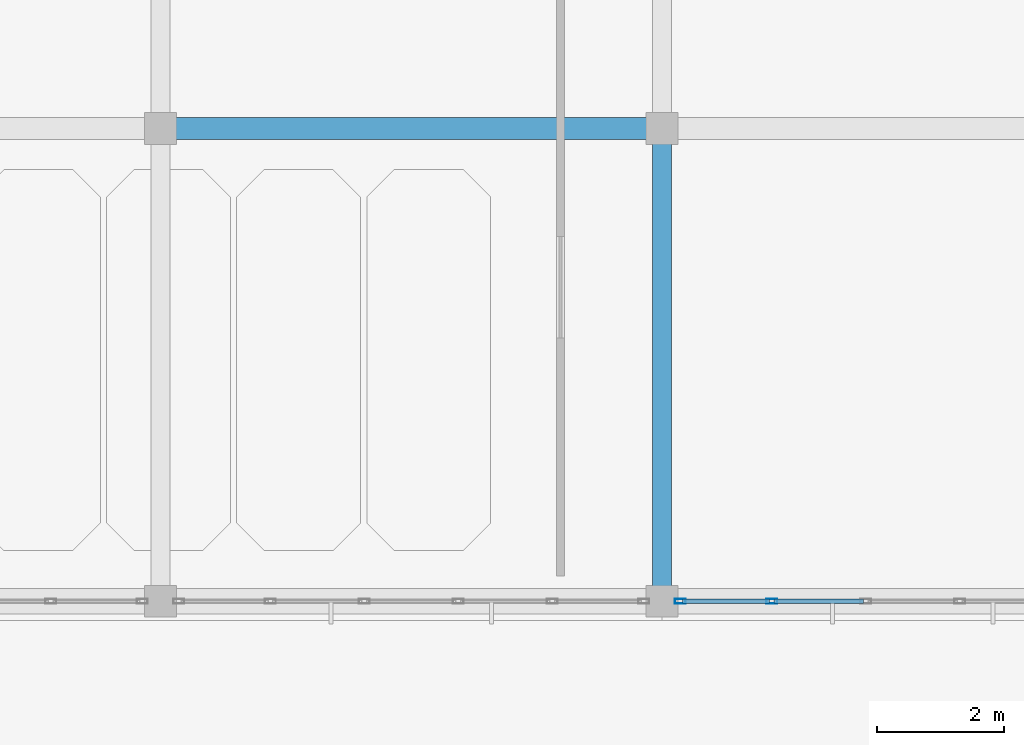
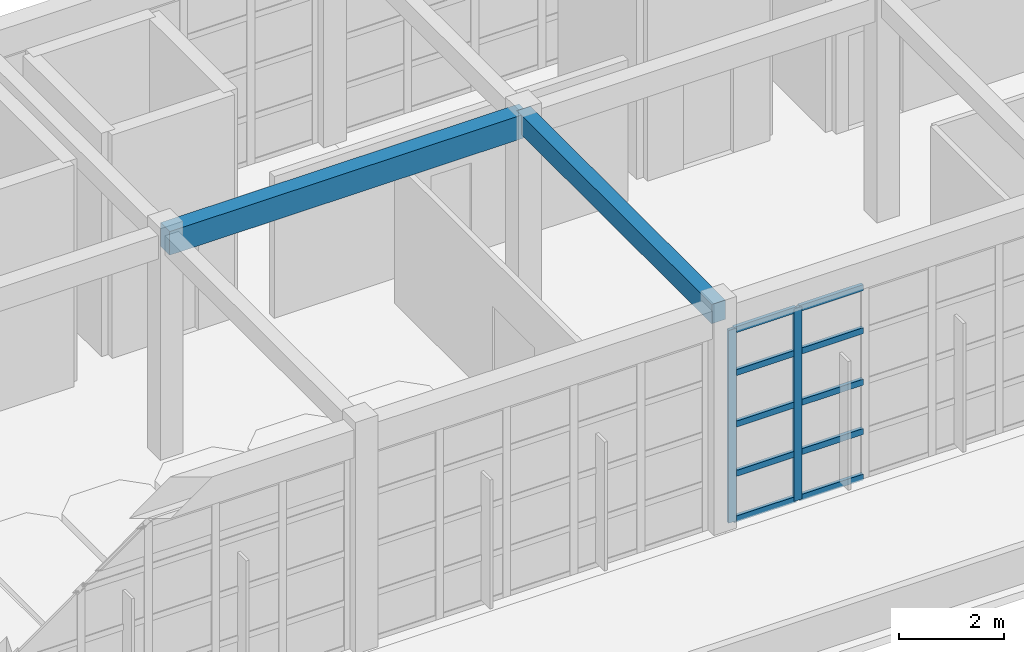
# One storey, part 6 of 103: 12 members, 2 beams, 1 element without a shape of its own.
"""IFC4 building model written with IfcOpenShell, lengths in metres."""

from ifc_helpers import new_model, si_unit, direction, frame, origin, origin_2d, place, context, subcontext, project, spatial, rectangle, hollow_rectangle, extrude, material, layer, layer_set, material_profile, profile_set, type_object, element, aggregate, save


model = new_model("IFC4")

# Units and contexts
model_context = context("Model", 3, precision=1e-05, world=origin(), true_north=direction((0.0, 1.0)))
body_context = subcontext(model_context, "Body", "Model", "MODEL_VIEW")
ifc_project = project(units=[si_unit("LENGTHUNIT", "METRE"), si_unit("AREAUNIT", "SQUARE_METRE"), si_unit("VOLUMEUNIT", "CUBIC_METRE"), si_unit("PLANEANGLEUNIT", "RADIAN"), si_unit("MASSUNIT", "GRAM", prefix="KILO")], contexts=[model_context])

# Site, building, storey
site_placement = place(None, origin())
site = spatial("IfcSite", under=ifc_project, at=site_placement, CompositionType="ELEMENT")
building_placement = place(site_placement, origin())
building = spatial("IfcBuilding", under=site, at=building_placement, Name="Candilejo Ridge Gondola Terminal", CompositionType="ELEMENT")
storey_placement = place(building_placement, frame((0.0, 0.0, 9.0)))
storey = spatial("IfcBuildingStorey", under=building, at=storey_placement, Name="L02", CompositionType="ELEMENT", Elevation=9.0)

# Curtain wall, members
ifc_material_1 = material(Name="Anodised aluminium AA 6063-T6", Category="aluminium")
ifc_layer = layer(ifc_material_1, 0.169921875)
ifc_layer_set = layer_set([ifc_layer], Name="ARC-CW-GALLERY-3200-740X449")
curtain_wall_type = type_object("IfcCurtainWallType", Name="ARC-CW-GALLERY-3200-740X449", PredefinedType="NOTDEFINED", material=ifc_layer_set)
curtain_wall_placement = place(storey_placement, origin())
curtain_wall = element("IfcCurtainWall", 1, at=curtain_wall_placement, inside=storey, type_object=curtain_wall_type, Name="Curtain wall V1 L02-011", PredefinedType="NOTDEFINED")
ifc_material_2 = material(Name="Anodised aluminium AA 6063-T6", Category="aluminium")
ifc_material_profile_1 = material_profile(ifc_material_2, hollow_rectangle(XDim=0.074951171875, YDim=0.169921875, WallThickness=0.00390625, at=origin_2d()))
ifc_profile_set_1 = profile_set([ifc_material_profile_1], Name="Anodised aluminium AA 6063-T6")
member_type_1 = type_object("IfcMemberType", Name="ARC-CW-MULLION", PredefinedType="MULLION", material=ifc_profile_set_1)
member_1_placement = place(storey_placement, frame((20.387451171875, 10.800048828125, 0.0), z_axis=(0.0, 0.0, 1.0), x_axis=(0.0, 1.0, 0.0)))
member_1 = element("IfcMember", 2, at=member_1_placement, type_object=member_type_1, Name="CW-74X44 mullion 1", PredefinedType="MULLION", context=body_context, shape_type="SweptSolid", body=[
    extrude(hollow_rectangle(XDim=0.074951171875, YDim=0.169921875, WallThickness=0.00390625, at=origin_2d()), origin(), (0.0, 0.0, 1.0), 4.489990234375),
])
member_2_placement = place(storey_placement, frame((21.830078125, 10.800048828125, 0.0), z_axis=(0.0, 0.0, 1.0), x_axis=(0.0, 1.0, 0.0)))
member_2 = element("IfcMember", 3, at=member_2_placement, type_object=member_type_1, Name="CW-74X44 mullion 2", PredefinedType="MULLION", context=body_context, shape_type="SweptSolid", body=[
    extrude(hollow_rectangle(XDim=0.074951171875, YDim=0.169921875, WallThickness=0.00390625, at=origin_2d()), origin(), (0.0, 0.0, 1.0), 4.489990234375),
])
ifc_material_3 = material(Name="Anodised aluminium AA 6063-T6", Category="aluminium")
ifc_material_profile_2 = material_profile(ifc_material_3, hollow_rectangle(XDim=0.074951171875, YDim=0.139892578125, WallThickness=0.00390625, at=origin_2d()))
ifc_profile_set_2 = profile_set([ifc_material_profile_2], Name="Anodised aluminium AA 6063-T6")
member_type_2 = type_object("IfcMemberType", Name="ARC-CW-TRANSOM", PredefinedType="USERDEFINED", material=ifc_profile_set_2)
member_3_placement = place(storey_placement, frame((20.425048828125, 10.800048828125, 0.03759765625), z_axis=(1.0, 0.0, 0.0), x_axis=(0.0, 1.0, 0.0)))
member_3 = element("IfcMember", 4, at=member_3_placement, type_object=member_type_2, Name="CW-74X44 transom 1.1", ObjectType="TRANSOM", PredefinedType="USERDEFINED", context=body_context, shape_type="SweptSolid", body=[
    extrude(hollow_rectangle(XDim=0.074951171875, YDim=0.139892578125, WallThickness=0.00390625, at=origin_2d()), origin(), (0.0, 0.0, 1.0), 1.367431640625),
])
member_4_placement = place(storey_placement, frame((20.425048828125, 10.800048828125, 1.10009765625), z_axis=(1.0, 0.0, 0.0), x_axis=(0.0, 1.0, 0.0)))
member_4 = element("IfcMember", 5, at=member_4_placement, type_object=member_type_2, Name="CW-74X44 transom 1.2", ObjectType="TRANSOM", PredefinedType="USERDEFINED", context=body_context, shape_type="SweptSolid", body=[
    extrude(hollow_rectangle(XDim=0.074951171875, YDim=0.139892578125, WallThickness=0.00390625, at=origin_2d()), origin(), (0.0, 0.0, 1.0), 1.367431640625),
])
member_5_placement = place(storey_placement, frame((20.425048828125, 10.800048828125, 2.25), z_axis=(1.0, 0.0, 0.0), x_axis=(0.0, 1.0, 0.0)))
member_5 = element("IfcMember", 6, at=member_5_placement, type_object=member_type_2, Name="CW-74X44 transom 1.3", ObjectType="TRANSOM", PredefinedType="USERDEFINED", context=body_context, shape_type="SweptSolid", body=[
    extrude(hollow_rectangle(XDim=0.074951171875, YDim=0.139892578125, WallThickness=0.00390625, at=origin_2d()), origin(), (0.0, 0.0, 1.0), 1.367431640625),
])
member_6_placement = place(storey_placement, frame((20.425048828125, 10.800048828125, 3.449951171875), z_axis=(1.0, 0.0, 0.0), x_axis=(0.0, 1.0, 0.0)))
member_6 = element("IfcMember", 7, at=member_6_placement, type_object=member_type_2, Name="CW-74X44 transom 1.4", ObjectType="TRANSOM", PredefinedType="USERDEFINED", context=body_context, shape_type="SweptSolid", body=[
    extrude(hollow_rectangle(XDim=0.074951171875, YDim=0.139892578125, WallThickness=0.00390625, at=origin_2d()), origin(), (0.0, 0.0, 1.0), 1.367431640625),
])
member_7_placement = place(storey_placement, frame((20.425048828125, 10.800048828125, 4.452392578125), z_axis=(1.0, 0.0, 0.0), x_axis=(0.0, 1.0, 0.0)))
member_7 = element("IfcMember", 8, at=member_7_placement, type_object=member_type_2, Name="CW-74X44 transom 1.5", ObjectType="TRANSOM", PredefinedType="USERDEFINED", context=body_context, shape_type="SweptSolid", body=[
    extrude(hollow_rectangle(XDim=0.074951171875, YDim=0.139892578125, WallThickness=0.00390625, at=origin_2d()), origin(), (0.0, 0.0, 1.0), 1.367431640625),
])
member_8_placement = place(storey_placement, frame((21.867431640625, 10.800048828125, 0.03759765625), z_axis=(1.0, 0.0, 0.0), x_axis=(0.0, 1.0, 0.0)))
member_8 = element("IfcMember", 9, at=member_8_placement, type_object=member_type_2, Name="CW-74X44 transom 2.1", ObjectType="TRANSOM", PredefinedType="USERDEFINED", context=body_context, shape_type="SweptSolid", body=[
    extrude(hollow_rectangle(XDim=0.074951171875, YDim=0.139892578125, WallThickness=0.00390625, at=origin_2d()), origin(), (0.0, 0.0, 1.0), 1.405029296875),
])
member_9_placement = place(storey_placement, frame((21.867431640625, 10.800048828125, 1.10009765625), z_axis=(1.0, 0.0, 0.0), x_axis=(0.0, 1.0, 0.0)))
member_9 = element("IfcMember", 10, at=member_9_placement, type_object=member_type_2, Name="CW-74X44 transom 2.2", ObjectType="TRANSOM", PredefinedType="USERDEFINED", context=body_context, shape_type="SweptSolid", body=[
    extrude(hollow_rectangle(XDim=0.074951171875, YDim=0.139892578125, WallThickness=0.00390625, at=origin_2d()), origin(), (0.0, 0.0, 1.0), 1.405029296875),
])
member_10_placement = place(storey_placement, frame((21.867431640625, 10.800048828125, 2.25), z_axis=(1.0, 0.0, 0.0), x_axis=(0.0, 1.0, 0.0)))
member_10 = element("IfcMember", 11, at=member_10_placement, type_object=member_type_2, Name="CW-74X44 transom 2.3", ObjectType="TRANSOM", PredefinedType="USERDEFINED", context=body_context, shape_type="SweptSolid", body=[
    extrude(hollow_rectangle(XDim=0.074951171875, YDim=0.139892578125, WallThickness=0.00390625, at=origin_2d()), origin(), (0.0, 0.0, 1.0), 1.405029296875),
])
member_11_placement = place(storey_placement, frame((21.867431640625, 10.800048828125, 3.449951171875), z_axis=(1.0, 0.0, 0.0), x_axis=(0.0, 1.0, 0.0)))
member_11 = element("IfcMember", 12, at=member_11_placement, type_object=member_type_2, Name="CW-74X44 transom 2.4", ObjectType="TRANSOM", PredefinedType="USERDEFINED", context=body_context, shape_type="SweptSolid", body=[
    extrude(hollow_rectangle(XDim=0.074951171875, YDim=0.139892578125, WallThickness=0.00390625, at=origin_2d()), origin(), (0.0, 0.0, 1.0), 1.405029296875),
])
member_12_placement = place(storey_placement, frame((21.867431640625, 10.800048828125, 4.452392578125), z_axis=(1.0, 0.0, 0.0), x_axis=(0.0, 1.0, 0.0)))
member_12 = element("IfcMember", 13, at=member_12_placement, type_object=member_type_2, Name="CW-74X44 transom 2.5", ObjectType="TRANSOM", PredefinedType="USERDEFINED", context=body_context, shape_type="SweptSolid", body=[
    extrude(hollow_rectangle(XDim=0.074951171875, YDim=0.139892578125, WallThickness=0.00390625, at=origin_2d()), origin(), (0.0, 0.0, 1.0), 1.405029296875),
])
aggregate(curtain_wall, [member_1, member_2, member_3, member_4, member_5, member_6, member_7, member_8, member_9, member_10, member_11, member_12])

# Beams
ifc_material_4 = material(Name="Concrete f'c 35 MPa (C35/45)", Category="concrete")
ifc_material_profile_3 = material_profile(ifc_material_4, rectangle(XDim=0.300048828125, YDim=0.449951171875, at=origin_2d()))
ifc_profile_set_3 = profile_set([ifc_material_profile_3], Name="Concrete f'c 35 MPa (C35/45)")
beam_type_1 = type_object("IfcBeamType", Name="STR-BM-RC300X450", PredefinedType="BEAM", material=ifc_profile_set_3)
beam_1_placement = place(storey_placement, frame((20.10009765625, 10.800048828125, 4.97509765625), z_axis=(0.0, 1.0, 0.0), x_axis=(-1.0, 0.0, 0.0)))
element("IfcBeam", 14, at=beam_1_placement, inside=storey, type_object=beam_type_1, Name="Beam Y V1 L02 Y02-Y03@X03", PredefinedType="BEAM", context=body_context, shape_type="SweptSolid", body=[
    extrude(rectangle(XDim=0.300048828125, YDim=0.449951171875, at=origin_2d()), origin(), (0.0, 0.0, 1.0), 7.449951171875),
])
ifc_material_5 = material(Name="Concrete f'c 35 MPa (C35/45)", Category="concrete")
ifc_material_profile_4 = material_profile(ifc_material_5, rectangle(XDim=0.35009765625, YDim=0.550048828125, at=origin_2d()))
ifc_profile_set_4 = profile_set([ifc_material_profile_4], Name="Concrete f'c 35 MPa (C35/45)")
beam_type_2 = type_object("IfcBeamType", Name="STR-BM-RC350X550", PredefinedType="BEAM", material=ifc_profile_set_4)
beam_2_placement = place(storey_placement, frame((12.199951171875, 18.25, 4.925048828125), z_axis=(1.0, 0.0, 0.0), x_axis=(0.0, 1.0, 0.0)))
element("IfcBeam", 15, at=beam_2_placement, inside=storey, type_object=beam_type_2, Name="Beam X V1 L02 X02-X03@Y03", PredefinedType="BEAM", context=body_context, shape_type="SweptSolid", body=[
    extrude(rectangle(XDim=0.35009765625, YDim=0.550048828125, at=origin_2d()), origin(), (0.0, 0.0, 1.0), 7.900146484375),
])

save(model, "model.ifc")
